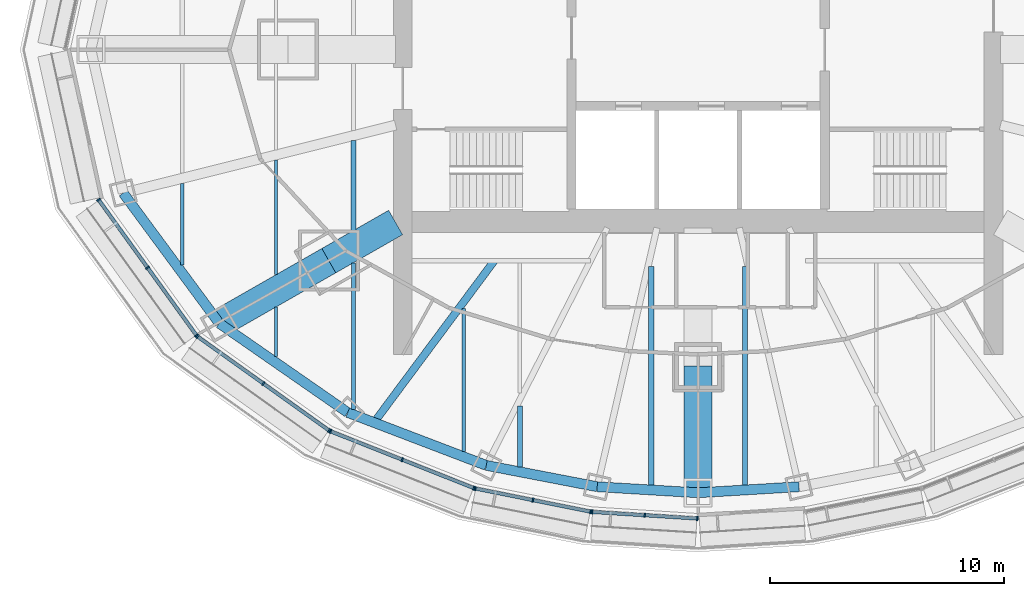
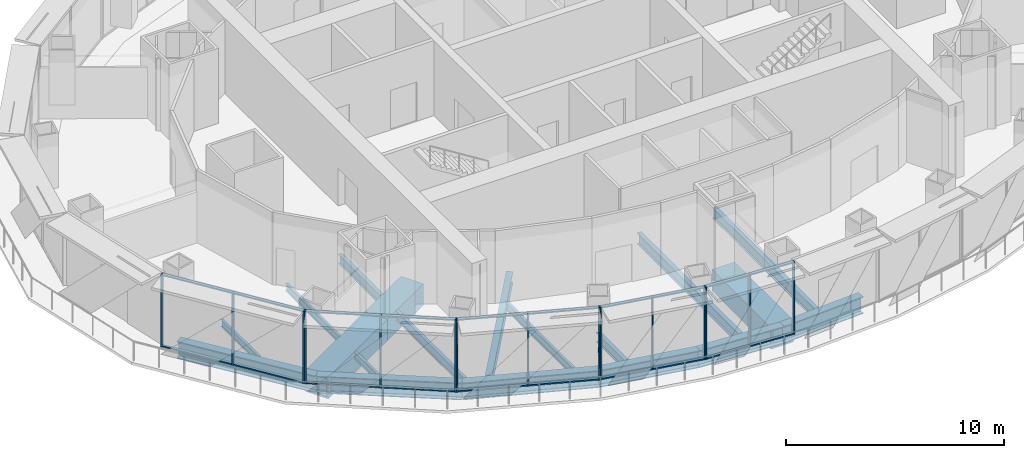
# One storey, part 2 of 17: 35 members, 19 beams, 5 elements without a shape of their own.
"""IFC4 building model written with IfcOpenShell, lengths in metres."""

from ifc_helpers import new_model, si_unit, direction, frame, origin, origin_2d, place, context, subcontext, project, spatial, rectangle, hollow_rectangle, i_section, extrude, material, material_profile, profile_set, type_object, element, aggregate, save


model = new_model("IFC4")

# Units and contexts
model_context = context("Model", 3, precision=1e-05, world=origin(), true_north=direction((0.0, 1.0)))
body_context = subcontext(model_context, "Body", "Model", "MODEL_VIEW")
ifc_project = project(units=[si_unit("LENGTHUNIT", "METRE"), si_unit("AREAUNIT", "SQUARE_METRE"), si_unit("VOLUMEUNIT", "CUBIC_METRE"), si_unit("PLANEANGLEUNIT", "RADIAN"), si_unit("MASSUNIT", "GRAM", prefix="KILO")], contexts=[model_context])

# Site, building, storey
site_placement = place(None, origin())
site = spatial("IfcSite", under=ifc_project, at=site_placement, CompositionType="ELEMENT")
building_placement = place(site_placement, origin())
building = spatial("IfcBuilding", under=site, at=building_placement, Name="Lantaw Convention Tower", CompositionType="ELEMENT")
storey_placement = place(building_placement, frame((0.0, 0.0, 199.0)))
storey = spatial("IfcBuildingStorey", under=building, at=storey_placement, Name="L46", CompositionType="ELEMENT", Elevation=199.0)

# Beams
ifc_material_1 = material(Name="Steel ASTM A992", Category="steel")
ifc_material_profile_1 = material_profile(ifc_material_1, i_section(OverallWidth=0.424072265625, OverallDepth=0.947509765625, WebThickness=0.02392578125, FlangeThickness=0.042724609375, FilletRadius=0.012451171875, at=origin_2d()), Name="W36X302")
ifc_profile_set_1 = profile_set([ifc_material_profile_1], Name="Steel ASTM A992")
beam_type_1 = type_object("IfcBeamType", Name="Beam BC W36X302", PredefinedType="SPANDREL", material=ifc_profile_set_1)
beam_1_placement = place(storey_placement, frame((-24.52197265625, -6.114013671875, -0.623779296875), z_axis=(0.593639188853, -0.804731329984, 0.0), x_axis=(0.804731329984, 0.593639188853, 0.0)))
element("IfcBeam", 1, at=beam_1_placement, inside=storey, type_object=beam_type_1, Name="Belt truss chord 14", PredefinedType="SPANDREL", context=body_context, shape_type="SweptSolid", body=[
    extrude(i_section(OverallWidth=0.424072265625, OverallDepth=0.947509765625, WebThickness=0.02392578125, FlangeThickness=0.042724609375, FilletRadius=0.012451171875, at=origin_2d()), origin(), (0.0, 0.0, 1.0), 6.904541015625),
])
beam_2_placement = place(storey_placement, frame((-20.423095703125, -11.67041015625, -0.623779296875), z_axis=(0.82135329406, -0.570419815869, 0.0), x_axis=(0.570419815869, 0.82135329406, 0.0)))
element("IfcBeam", 2, at=beam_2_placement, inside=storey, type_object=beam_type_1, Name="Belt truss chord 15", PredefinedType="SPANDREL", context=body_context, shape_type="SweptSolid", body=[
    extrude(i_section(OverallWidth=0.424072265625, OverallDepth=0.947509765625, WebThickness=0.02392578125, FlangeThickness=0.042724609375, FilletRadius=0.012451171875, at=origin_2d()), origin(), (0.0, 0.0, 1.0), 6.67041015625),
])
beam_3_placement = place(storey_placement, frame((-14.9443359375, -15.475341796875, -0.623779296875), z_axis=(0.934234988, -0.356658081637, 0.0), x_axis=(0.356658081637, 0.934234988, 0.0)))
element("IfcBeam", 3, at=beam_3_placement, inside=storey, type_object=beam_type_1, Name="Belt truss chord 16", PredefinedType="SPANDREL", context=body_context, shape_type="SweptSolid", body=[
    extrude(i_section(OverallWidth=0.424072265625, OverallDepth=0.947509765625, WebThickness=0.02392578125, FlangeThickness=0.042724609375, FilletRadius=0.012451171875, at=origin_2d()), origin(), (0.0, 0.0, 1.0), 6.32568359375),
])
beam_4_placement = place(storey_placement, frame((-9.03466796875, -17.7314453125, -0.623779296875), z_axis=(0.981972091702, -0.189025953556, 0.0), x_axis=(0.189025953556, 0.981972091702, 0.0)))
element("IfcBeam", 4, at=beam_4_placement, inside=storey, type_object=beam_type_1, Name="Belt truss chord 17", PredefinedType="SPANDREL", context=body_context, shape_type="SweptSolid", body=[
    extrude(i_section(OverallWidth=0.424072265625, OverallDepth=0.947509765625, WebThickness=0.02392578125, FlangeThickness=0.042724609375, FilletRadius=0.012451171875, at=origin_2d()), origin(), (0.0, 0.0, 1.0), 4.817626953125),
])
for number, where, z_axis, x_axis, name in (
    (5, (-4.303955078125, -18.64208984375, -0.623779296875), (0.998210730897, -0.059794119452, 0.0), (0.059794119452, 0.998210730897, 0.0), "Belt truss chord 18"),
    (6, (0.0, -18.89990234375, -0.623779296875), (0.998210730897, 0.059794119452, 0.0), (-0.059794119452, 0.998210730897, 0.0), "Belt truss chord 19"),
):
    element("IfcBeam", number, at=place(storey_placement, frame(where, z_axis=z_axis, x_axis=x_axis)), inside=storey, type_object=beam_type_1, Name=name, PredefinedType="SPANDREL", context=body_context, shape_type="SweptSolid", body=[
        extrude(i_section(OverallWidth=0.424072265625, OverallDepth=0.947509765625, WebThickness=0.02392578125, FlangeThickness=0.042724609375, FilletRadius=0.012451171875, at=origin_2d()), origin(), (0.0, 0.0, 1.0), 4.311767578125),
    ])
ifc_material_2 = material(Name="Steel EN 10025-3 S460N", Category="steel")
ifc_material_profile_2 = material_profile(ifc_material_2, hollow_rectangle(XDim=1.199951171875, YDim=1.199951171875, WallThickness=0.10009765625, at=origin_2d()), Name="BOX1200X100")
ifc_profile_set_2 = profile_set([ifc_material_profile_2], Name="Steel EN 10025-3 S460N")
beam_type_2 = type_object("IfcBeamType", Name="Beam G BOX1200X100", PredefinedType="BEAM", material=ifc_profile_set_2)
beam_5_placement = place(storey_placement, frame((-15.75, -9.0, -0.75), z_axis=(-0.868237559289, -0.496148708192, 0.0), x_axis=(0.496148708192, -0.868237559289, 0.0)))
element("IfcBeam", 7, at=beam_5_placement, inside=storey, type_object=beam_type_2, Name="Floor girder on ray 15", PredefinedType="BEAM", context=body_context, shape_type="SweptSolid", body=[
    extrude(hollow_rectangle(XDim=1.199951171875, YDim=1.199951171875, WallThickness=0.10009765625, at=origin_2d()), origin(), (0.0, 0.0, 1.0), 5.38232421875),
])
beam_6_placement = place(storey_placement, frame((0.0, -13.5, -0.75), z_axis=(0.0, -1.0, 0.0), x_axis=(1.0, 0.0, 0.0)))
element("IfcBeam", 8, at=beam_6_placement, inside=storey, type_object=beam_type_2, Name="Floor girder on ray 19", PredefinedType="BEAM", context=body_context, shape_type="SweptSolid", body=[
    extrude(hollow_rectangle(XDim=1.199951171875, YDim=1.199951171875, WallThickness=0.10009765625, at=origin_2d()), origin(), (0.0, 0.0, 1.0), 5.39990234375),
])
ifc_material_profile_3 = material_profile(ifc_material_1, i_section(OverallWidth=0.3251953125, OverallDepth=0.612060546875, WebThickness=0.0126953125, FlangeThickness=0.01904296875, FilletRadius=0.0126953125, at=origin_2d()), Name="W24X104")
ifc_profile_set_3 = profile_set([ifc_material_profile_3], Name="Steel ASTM A992")
beam_type_3 = type_object("IfcBeamType", Name="Beam G W24X104", PredefinedType="BEAM", material=ifc_profile_set_3)
beam_7_placement = place(storey_placement, frame((-8.691162109375, -9.0, -0.4560546875), z_axis=(-0.596616067071, -0.802526802364, 0.0), x_axis=(0.802526802364, -0.596616067071, 0.0)))
element("IfcBeam", 9, at=beam_7_placement, inside=storey, type_object=beam_type_3, Name="Floor girder on ray 16", PredefinedType="BEAM", context=body_context, shape_type="SweptSolid", body=[
    extrude(i_section(OverallWidth=0.3251953125, OverallDepth=0.612060546875, WebThickness=0.0126953125, FlangeThickness=0.01904296875, FilletRadius=0.0126953125, at=origin_2d()), origin(), (0.0, 0.0, 1.0), 8.60205078125),
])
ifc_material_profile_4 = material_profile(ifc_material_1, i_section(OverallWidth=0.140380859375, OverallDepth=0.40380859375, WebThickness=0.007080078125, FlangeThickness=0.01123046875, FilletRadius=0.01025390625, at=origin_2d()), Name="W16X31")
ifc_profile_set_4 = profile_set([ifc_material_profile_4], Name="Steel ASTM A992")
beam_type_4 = type_object("IfcBeamType", Name="Beam J W16X31", PredefinedType="JOIST", material=ifc_profile_set_4)
beam_8_placement = place(storey_placement, frame((-22.0, -9.175537109375, -0.35205078125), z_axis=(0.0, 1.0, 0.0), x_axis=(-1.0, 0.0, 0.0)))
element("IfcBeam", 10, at=beam_8_placement, inside=storey, type_object=beam_type_4, Name="Floor joist", PredefinedType="JOIST", context=body_context, shape_type="SweptSolid", body=[
    extrude(i_section(OverallWidth=0.140380859375, OverallDepth=0.40380859375, WebThickness=0.007080078125, FlangeThickness=0.01123046875, FilletRadius=0.01025390625, at=origin_2d()), origin(), (0.0, 0.0, 1.0), 3.47314453125),
])
beam_9_placement = place(storey_placement, frame((-18.0, -13.094970703125, -0.35205078125), z_axis=(0.0, 1.0, 0.0), x_axis=(-1.0, 0.0, 0.0)))
element("IfcBeam", 11, at=beam_9_placement, inside=storey, type_object=beam_type_4, Name="Floor joist", PredefinedType="JOIST", context=body_context, shape_type="SweptSolid", body=[
    extrude(i_section(OverallWidth=0.140380859375, OverallDepth=0.40380859375, WebThickness=0.007080078125, FlangeThickness=0.01123046875, FilletRadius=0.01025390625, at=origin_2d()), origin(), (0.0, 0.0, 1.0), 2.1181640625),
])
beam_10_placement = place(storey_placement, frame((-18.0, -9.5947265625, -0.35205078125), z_axis=(0.0, 1.0, 0.0), x_axis=(-1.0, 0.0, 0.0)))
element("IfcBeam", 12, at=beam_10_placement, inside=storey, type_object=beam_type_4, Name="Floor joist", PredefinedType="JOIST", context=body_context, shape_type="SweptSolid", body=[
    extrude(i_section(OverallWidth=0.140380859375, OverallDepth=0.40380859375, WebThickness=0.007080078125, FlangeThickness=0.01123046875, FilletRadius=0.01025390625, at=origin_2d()), origin(), (0.0, 0.0, 1.0), 4.8896484375),
])
ifc_material_profile_5 = material_profile(ifc_material_1, i_section(OverallWidth=0.15234375, OverallDepth=0.449462890625, WebThickness=0.007568359375, FlangeThickness=0.0107421875, FilletRadius=0.01025390625, at=origin_2d()), Name="W18X35")
ifc_profile_set_5 = profile_set([ifc_material_profile_5], Name="Steel ASTM A992")
beam_type_5 = type_object("IfcBeamType", Name="Beam J W18X35", PredefinedType="JOIST", material=ifc_profile_set_5)
beam_11_placement = place(storey_placement, frame((-10.0, -17.135986328125, -0.374755859375), z_axis=(0.0, 1.0, 0.0), x_axis=(-1.0, 0.0, 0.0)))
element("IfcBeam", 13, at=beam_11_placement, inside=storey, type_object=beam_type_5, Name="Floor joist", PredefinedType="JOIST", context=body_context, shape_type="SweptSolid", body=[
    extrude(i_section(OverallWidth=0.15234375, OverallDepth=0.449462890625, WebThickness=0.007568359375, FlangeThickness=0.0107421875, FilletRadius=0.01025390625, at=origin_2d()), origin(), (0.0, 0.0, 1.0), 6.10302734375),
])
ifc_material_profile_6 = material_profile(ifc_material_1, i_section(OverallWidth=0.1650390625, OverallDepth=0.52587890625, WebThickness=0.0087890625, FlangeThickness=0.011474609375, FilletRadius=0.0126953125, at=origin_2d()), Name="W21X44")
ifc_profile_set_6 = profile_set([ifc_material_profile_6], Name="Steel ASTM A992")
beam_type_6 = type_object("IfcBeamType", Name="Beam J W21X44", PredefinedType="JOIST", material=ifc_profile_set_6)
beam_12_placement = place(storey_placement, frame((-14.699951171875, -15.341796875, -0.412841796875), z_axis=(0.0, 1.0, 0.0), x_axis=(-1.0, 0.0, 0.0)))
element("IfcBeam", 14, at=beam_12_placement, inside=storey, type_object=beam_type_6, Name="Floor joist", PredefinedType="JOIST", context=body_context, shape_type="SweptSolid", body=[
    extrude(i_section(OverallWidth=0.1650390625, OverallDepth=0.52587890625, WebThickness=0.0087890625, FlangeThickness=0.011474609375, FilletRadius=0.0126953125, at=origin_2d()), origin(), (0.0, 0.0, 1.0), 6.250732421875),
])
ifc_material_profile_7 = material_profile(ifc_material_1, i_section(OverallWidth=0.2099609375, OverallDepth=0.535888671875, WebThickness=0.010986328125, FlangeThickness=0.017333984375, FilletRadius=0.012939453125, at=origin_2d()), Name="W21X68")
ifc_profile_set_7 = profile_set([ifc_material_profile_7], Name="Steel ASTM A992")
beam_type_7 = type_object("IfcBeamType", Name="Beam J W21X68", PredefinedType="JOIST", material=ifc_profile_set_7)
beam_13_placement = place(storey_placement, frame((-14.699951171875, -7.708984375, -0.41796875), z_axis=(0.0, 1.0, 0.0), x_axis=(-1.0, 0.0, 0.0)))
element("IfcBeam", 15, at=beam_13_placement, inside=storey, type_object=beam_type_7, Name="Floor joist", PredefinedType="JOIST", context=body_context, shape_type="SweptSolid", body=[
    extrude(i_section(OverallWidth=0.2099609375, OverallDepth=0.535888671875, WebThickness=0.010986328125, FlangeThickness=0.017333984375, FilletRadius=0.012939453125, at=origin_2d()), origin(), (0.0, 0.0, 1.0), 3.82666015625),
])
beam_14_placement = place(storey_placement, frame((-7.60009765625, -17.791748046875, -0.41796875), z_axis=(0.0, 1.0, 0.0), x_axis=(-1.0, 0.0, 0.0)))
element("IfcBeam", 16, at=beam_14_placement, inside=storey, type_object=beam_type_7, Name="Floor joist", PredefinedType="JOIST", context=body_context, shape_type="SweptSolid", body=[
    extrude(i_section(OverallWidth=0.2099609375, OverallDepth=0.535888671875, WebThickness=0.010986328125, FlangeThickness=0.017333984375, FilletRadius=0.012939453125, at=origin_2d()), origin(), (0.0, 0.0, 1.0), 2.59619140625),
])
ifc_material_profile_8 = material_profile(ifc_material_1, i_section(OverallWidth=0.22900390625, OverallDepth=0.612060546875, WebThickness=0.011962890625, FlangeThickness=0.01953125, FilletRadius=0.0126953125, at=origin_2d()), Name="W24X84")
ifc_profile_set_8 = profile_set([ifc_material_profile_8], Name="Steel ASTM A992")
beam_type_8 = type_object("IfcBeamType", Name="Beam J W24X84", PredefinedType="JOIST", material=ifc_profile_set_8)
for number, where, z_axis, x_axis, name in (
    (17, (-2.0, -18.567626953125, -0.4560546875), (0.0, 1.0, 0.0), (-1.0, 0.0, 0.0), "Floor joist"),
    (18, (2.0, -18.567626953125, -0.4560546875), (0.0, 1.0, 0.0), (-1.0, 0.0, 0.0), "Floor joist"),
):
    element("IfcBeam", number, at=place(storey_placement, frame(where, z_axis=z_axis, x_axis=x_axis)), inside=storey, type_object=beam_type_8, Name=name, PredefinedType="JOIST", context=body_context, shape_type="SweptSolid", body=[
        extrude(i_section(OverallWidth=0.22900390625, OverallDepth=0.612060546875, WebThickness=0.011962890625, FlangeThickness=0.01953125, FilletRadius=0.0126953125, at=origin_2d()), origin(), (0.0, 0.0, 1.0), 9.311767578125),
    ])
ifc_material_profile_9 = material_profile(ifc_material_2, hollow_rectangle(XDim=1.199951171875, YDim=1.199951171875, WallThickness=0.10009765625, at=origin_2d()), Name="BOX1200X100")
ifc_profile_set_9 = profile_set([ifc_material_profile_9], Name="Steel EN 10025-3 S460N")
beam_type_9 = type_object("IfcBeamType", Name="Beam OC BOX1200X100", PredefinedType="BEAM", material=ifc_profile_set_9)
beam_15_placement = place(storey_placement, frame((-12.89990234375, -7.371337890625, -0.75), z_axis=(-0.868238565244, -0.496146947811, 0.0), x_axis=(0.496146947811, -0.868238565244, 0.0)))
element("IfcBeam", 19, at=beam_15_placement, inside=storey, type_object=beam_type_9, Name="Outrigger chord on ray 15", PredefinedType="BEAM", context=body_context, shape_type="SweptSolid", body=[
    extrude(hollow_rectangle(XDim=1.199951171875, YDim=1.199951171875, WallThickness=0.10009765625, at=origin_2d()), origin(), (0.0, 0.0, 1.0), 3.28271484375),
])

# Curtain wall, members
ifc_material_3 = material(Name="Aluminium framed curtain wall", Category="aluminium")
curtain_wall_type = type_object("IfcCurtainWallType", Name="Office curtain wall high rise, pale aluminium", PredefinedType="USERDEFINED", material=ifc_material_3)
curtain_wall_1_placement = place(storey_placement, origin())
curtain_wall_1 = element("IfcCurtainWall", 20, at=curtain_wall_1_placement, inside=storey, type_object=curtain_wall_type, Name="Office curtain wall high rise, pale aluminium L46", ObjectType="UNITISED CURTAIN WALL", PredefinedType="USERDEFINED")
ifc_material_4 = material(Name="Aluminium 6063-T6", Category="aluminium")
ifc_material_profile_10 = material_profile(ifc_material_4, rectangle(XDim=0.179931640625, YDim=0.06494140625, at=origin_2d()), Name="CW-O2 mullion 65x180")
ifc_profile_set_10 = profile_set([ifc_material_profile_10], Name="Aluminium 6063-T6")
member_type_1 = type_object("IfcMemberType", Name="CW-O2 mullion 65x180", PredefinedType="MULLION", material=ifc_profile_set_10)
member_1_placement = place(storey_placement, frame((-25.5703125, -6.406494140625, 0.0), z_axis=(0.0, 0.0, 1.0), x_axis=(0.810919559405, 0.585157643865, 0.0)))
member_1 = element("IfcMember", 21, at=member_1_placement, type_object=member_type_1, Name="CW-O2 mullion 1", PredefinedType="MULLION", context=body_context, shape_type="SweptSolid", body=[
    extrude(rectangle(XDim=0.179931640625, YDim=0.06494140625, at=origin_2d()), origin(), (0.0, 0.0, 1.0), 4.050048828125),
])
member_2_placement = place(storey_placement, frame((-23.483642578125, -9.298095703125, 0.0), z_axis=(0.0, 0.0, 1.0), x_axis=(0.810919559405, 0.585157643865, 0.0)))
member_2 = element("IfcMember", 22, at=member_2_placement, type_object=member_type_1, Name="CW-O2 mullion 2", PredefinedType="MULLION", context=body_context, shape_type="SweptSolid", body=[
    extrude(rectangle(XDim=0.179931640625, YDim=0.06494140625, at=origin_2d()), origin(), (0.0, 0.0, 1.0), 4.050048828125),
])
member_3_placement = place(storey_placement, frame((-21.397216796875, -12.189697265625, 0.0), z_axis=(0.0, 0.0, 1.0), x_axis=(0.810919559405, 0.585157643865, 0.0)))
member_3 = element("IfcMember", 23, at=member_3_placement, type_object=member_type_1, Name="CW-O2 mullion 3", PredefinedType="MULLION", context=body_context, shape_type="SweptSolid", body=[
    extrude(rectangle(XDim=0.179931640625, YDim=0.06494140625, at=origin_2d()), origin(), (0.0, 0.0, 1.0), 4.050048828125),
])

curtain_wall_2_placement = place(storey_placement, origin())
curtain_wall_2 = element("IfcCurtainWall", 24, at=curtain_wall_2_placement, inside=storey, type_object=curtain_wall_type, Name="Office curtain wall high rise, pale aluminium L46", ObjectType="UNITISED CURTAIN WALL", PredefinedType="USERDEFINED")
member_4_placement = place(storey_placement, frame((-21.3515625, -12.23486328125, 0.0), z_axis=(0.0, 0.0, 1.0), x_axis=(0.581323487281, 0.813672540482, 0.0)))
member_4 = element("IfcMember", 25, at=member_4_placement, type_object=member_type_1, Name="CW-O2 mullion 1", PredefinedType="MULLION", context=body_context, shape_type="SweptSolid", body=[
    extrude(rectangle(XDim=0.179931640625, YDim=0.06494140625, at=origin_2d()), origin(), (0.0, 0.0, 1.0), 4.050048828125),
])
member_5_placement = place(storey_placement, frame((-18.543212890625, -14.241455078125, 0.0), z_axis=(0.0, 0.0, 1.0), x_axis=(0.581323487281, 0.813672540482, 0.0)))
member_5 = element("IfcMember", 26, at=member_5_placement, type_object=member_type_1, Name="CW-O2 mullion 2", PredefinedType="MULLION", context=body_context, shape_type="SweptSolid", body=[
    extrude(rectangle(XDim=0.179931640625, YDim=0.06494140625, at=origin_2d()), origin(), (0.0, 0.0, 1.0), 4.050048828125),
])
member_6_placement = place(storey_placement, frame((-15.73486328125, -16.247802734375, 0.0), z_axis=(0.0, 0.0, 1.0), x_axis=(0.581323487281, 0.813672540482, 0.0)))
member_6 = element("IfcMember", 27, at=member_6_placement, type_object=member_type_1, Name="CW-O2 mullion 3", PredefinedType="MULLION", context=body_context, shape_type="SweptSolid", body=[
    extrude(rectangle(XDim=0.179931640625, YDim=0.06494140625, at=origin_2d()), origin(), (0.0, 0.0, 1.0), 4.050048828125),
])

curtain_wall_3_placement = place(storey_placement, origin())
curtain_wall_3 = element("IfcCurtainWall", 28, at=curtain_wall_3_placement, inside=storey, type_object=curtain_wall_type, Name="Office curtain wall high rise, pale aluminium L46", ObjectType="UNITISED CURTAIN WALL", PredefinedType="USERDEFINED")
member_7_placement = place(storey_placement, frame((-15.67822265625, -16.278564453125, 0.0), z_axis=(0.0, 0.0, 1.0), x_axis=(0.368162315252, 0.929761533743, 0.0)))
member_7 = element("IfcMember", 29, at=member_7_placement, type_object=member_type_1, Name="CW-O2 mullion 1", PredefinedType="MULLION", context=body_context, shape_type="SweptSolid", body=[
    extrude(rectangle(XDim=0.179931640625, YDim=0.06494140625, at=origin_2d()), origin(), (0.0, 0.0, 1.0), 4.050048828125),
])
member_8_placement = place(storey_placement, frame((-12.621337890625, -17.4892578125, 0.0), z_axis=(0.0, 0.0, 1.0), x_axis=(0.368162315252, 0.929761533743, 0.0)))
member_8 = element("IfcMember", 30, at=member_8_placement, type_object=member_type_1, Name="CW-O2 mullion 2", PredefinedType="MULLION", context=body_context, shape_type="SweptSolid", body=[
    extrude(rectangle(XDim=0.179931640625, YDim=0.06494140625, at=origin_2d()), origin(), (0.0, 0.0, 1.0), 4.050048828125),
])
member_9_placement = place(storey_placement, frame((-9.564208984375, -18.69970703125, 0.0), z_axis=(0.0, 0.0, 1.0), x_axis=(0.368162315252, 0.929761533743, 0.0)))
member_9 = element("IfcMember", 31, at=member_9_placement, type_object=member_type_1, Name="CW-O2 mullion 3", PredefinedType="MULLION", context=body_context, shape_type="SweptSolid", body=[
    extrude(rectangle(XDim=0.179931640625, YDim=0.06494140625, at=origin_2d()), origin(), (0.0, 0.0, 1.0), 4.050048828125),
])

curtain_wall_4_placement = place(storey_placement, origin())
curtain_wall_4 = element("IfcCurtainWall", 32, at=curtain_wall_4_placement, inside=storey, type_object=curtain_wall_type, Name="Office curtain wall high rise, pale aluminium L46", ObjectType="UNITISED CURTAIN WALL", PredefinedType="USERDEFINED")
member_10_placement = place(storey_placement, frame((-9.502197265625, -18.718017578125, 0.0), z_axis=(0.0, 0.0, 1.0), x_axis=(0.197183095987, 0.980366679695, 0.0)))
member_10 = element("IfcMember", 33, at=member_10_placement, type_object=member_type_1, Name="CW-O2 mullion 1", PredefinedType="MULLION", context=body_context, shape_type="SweptSolid", body=[
    extrude(rectangle(XDim=0.179931640625, YDim=0.06494140625, at=origin_2d()), origin(), (0.0, 0.0, 1.0), 4.050048828125),
])
member_11_placement = place(storey_placement, frame((-7.042724609375, -19.212646484375, 0.0), z_axis=(0.0, 0.0, 1.0), x_axis=(0.197183095987, 0.980366679695, 0.0)))
member_11 = element("IfcMember", 34, at=member_11_placement, type_object=member_type_1, Name="CW-O2 mullion 2", PredefinedType="MULLION", context=body_context, shape_type="SweptSolid", body=[
    extrude(rectangle(XDim=0.179931640625, YDim=0.06494140625, at=origin_2d()), origin(), (0.0, 0.0, 1.0), 4.050048828125),
])
member_12_placement = place(storey_placement, frame((-4.583251953125, -19.70751953125, 0.0), z_axis=(0.0, 0.0, 1.0), x_axis=(0.197183095987, 0.980366679695, 0.0)))
member_12 = element("IfcMember", 35, at=member_12_placement, type_object=member_type_1, Name="CW-O2 mullion 3", PredefinedType="MULLION", context=body_context, shape_type="SweptSolid", body=[
    extrude(rectangle(XDim=0.179931640625, YDim=0.06494140625, at=origin_2d()), origin(), (0.0, 0.0, 1.0), 4.050048828125),
])

curtain_wall_5_placement = place(storey_placement, origin())
curtain_wall_5 = element("IfcCurtainWall", 36, at=curtain_wall_5_placement, inside=storey, type_object=curtain_wall_type, Name="Office curtain wall high rise, pale aluminium L46", ObjectType="UNITISED CURTAIN WALL", PredefinedType="USERDEFINED")
member_13_placement = place(storey_placement, frame((-4.518798828125, -19.7158203125, 0.0), z_axis=(0.0, 0.0, 1.0), x_axis=(0.062757983884, 0.998028774865, 0.0)))
member_13 = element("IfcMember", 37, at=member_13_placement, type_object=member_type_1, Name="CW-O2 mullion 1", PredefinedType="MULLION", context=body_context, shape_type="SweptSolid", body=[
    extrude(rectangle(XDim=0.179931640625, YDim=0.06494140625, at=origin_2d()), origin(), (0.0, 0.0, 1.0), 4.050048828125),
])
member_14_placement = place(storey_placement, frame((-2.275634765625, -19.85693359375, 0.0), z_axis=(0.0, 0.0, 1.0), x_axis=(0.062757983884, 0.998028774865, 0.0)))
member_14 = element("IfcMember", 38, at=member_14_placement, type_object=member_type_1, Name="CW-O2 mullion 2", PredefinedType="MULLION", context=body_context, shape_type="SweptSolid", body=[
    extrude(rectangle(XDim=0.179931640625, YDim=0.06494140625, at=origin_2d()), origin(), (0.0, 0.0, 1.0), 4.050048828125),
])
member_15_placement = place(storey_placement, frame((-0.032470703125, -19.998046875, 0.0), z_axis=(0.0, 0.0, 1.0), x_axis=(0.062757983884, 0.998028774865, 0.0)))
member_15 = element("IfcMember", 39, at=member_15_placement, type_object=member_type_1, Name="CW-O2 mullion 3", PredefinedType="MULLION", context=body_context, shape_type="SweptSolid", body=[
    extrude(rectangle(XDim=0.179931640625, YDim=0.06494140625, at=origin_2d()), origin(), (0.0, 0.0, 1.0), 4.050048828125),
])

# Member
ifc_material_profile_11 = material_profile(ifc_material_4, rectangle(XDim=0.14990234375, YDim=0.06494140625, at=origin_2d()), Name="CW-O2 transom 65x150")
ifc_profile_set_11 = profile_set([ifc_material_profile_11], Name="Aluminium 6063-T6")
member_type_2 = type_object("IfcMemberType", Name="CW-O2 transom 65x150", PredefinedType="USERDEFINED", material=ifc_profile_set_11)
member_16_placement = place(storey_placement, frame((-25.55126953125, -6.432861328125, 0.032470703125), z_axis=(0.585169685931, -0.810910869743, 0.0), x_axis=(0.810910869743, 0.585169685931, 0.0)))
member_16 = element("IfcMember", 40, at=member_16_placement, type_object=member_type_2, Name="CW-O2 transom 1.1", ObjectType="TRANSOM", PredefinedType="USERDEFINED", context=body_context, shape_type="SweptSolid", body=[
    extrude(rectangle(XDim=0.14990234375, YDim=0.06494140625, at=origin_2d()), origin(), (0.0, 0.0, 1.0), 3.500732421875),
])

member_17_placement = place(storey_placement, frame((-25.55126953125, -6.432861328125, 4.017578125), z_axis=(0.585169685931, -0.810910869743, 0.0), x_axis=(0.810910869743, 0.585169685931, 0.0)))
member_17 = element("IfcMember", 41, at=member_17_placement, type_object=member_type_2, Name="CW-O2 transom 1.2", ObjectType="TRANSOM", PredefinedType="USERDEFINED", context=body_context, shape_type="SweptSolid", body=[
    extrude(rectangle(XDim=0.14990234375, YDim=0.06494140625, at=origin_2d()), origin(), (0.0, 0.0, 1.0), 3.500732421875),
])

member_18_placement = place(storey_placement, frame((-23.464599609375, -9.324462890625, 0.032470703125), z_axis=(0.585123825205, -0.810943961798, 0.0), x_axis=(0.810943961798, 0.585123825205, 0.0)))
member_18 = element("IfcMember", 42, at=member_18_placement, type_object=member_type_2, Name="CW-O2 transom 2.1", ObjectType="TRANSOM", PredefinedType="USERDEFINED", context=body_context, shape_type="SweptSolid", body=[
    extrude(rectangle(XDim=0.14990234375, YDim=0.06494140625, at=origin_2d()), origin(), (0.0, 0.0, 1.0), 3.500732421875),
])

member_19_placement = place(storey_placement, frame((-23.464599609375, -9.324462890625, 4.017578125), z_axis=(0.585123825205, -0.810943961798, 0.0), x_axis=(0.810943961798, 0.585123825205, 0.0)))
member_19 = element("IfcMember", 43, at=member_19_placement, type_object=member_type_2, Name="CW-O2 transom 2.2", ObjectType="TRANSOM", PredefinedType="USERDEFINED", context=body_context, shape_type="SweptSolid", body=[
    extrude(rectangle(XDim=0.14990234375, YDim=0.06494140625, at=origin_2d()), origin(), (0.0, 0.0, 1.0), 3.500732421875),
])

aggregate(curtain_wall_1, [member_1, member_2, member_3, member_16, member_17, member_18, member_19])

member_20_placement = place(storey_placement, frame((-21.3251953125, -12.25390625, 0.032470703125), z_axis=(0.813679882592, -0.581313210468, 0.0), x_axis=(0.581313210468, 0.813679882592, 0.0)))
member_20 = element("IfcMember", 44, at=member_20_placement, type_object=member_type_2, Name="CW-O2 transom 1.1", ObjectType="TRANSOM", PredefinedType="USERDEFINED", context=body_context, shape_type="SweptSolid", body=[
    extrude(rectangle(XDim=0.14990234375, YDim=0.06494140625, at=origin_2d()), origin(), (0.0, 0.0, 1.0), 3.38623046875),
])

member_21_placement = place(storey_placement, frame((-21.3251953125, -12.25390625, 4.017578125), z_axis=(0.813679882592, -0.581313210468, 0.0), x_axis=(0.581313210468, 0.813679882592, 0.0)))
member_21 = element("IfcMember", 45, at=member_21_placement, type_object=member_type_2, Name="CW-O2 transom 1.2", ObjectType="TRANSOM", PredefinedType="USERDEFINED", context=body_context, shape_type="SweptSolid", body=[
    extrude(rectangle(XDim=0.14990234375, YDim=0.06494140625, at=origin_2d()), origin(), (0.0, 0.0, 1.0), 3.38623046875),
])

member_22_placement = place(storey_placement, frame((-18.516845703125, -14.26025390625, 0.032470703125), z_axis=(0.813645780821, -0.581360940683, 0.0), x_axis=(0.581360940683, 0.813645780821, 0.0)))
member_22 = element("IfcMember", 46, at=member_22_placement, type_object=member_type_2, Name="CW-O2 transom 2.1", ObjectType="TRANSOM", PredefinedType="USERDEFINED", context=body_context, shape_type="SweptSolid", body=[
    extrude(rectangle(XDim=0.14990234375, YDim=0.06494140625, at=origin_2d()), origin(), (0.0, 0.0, 1.0), 3.386474609375),
])

member_23_placement = place(storey_placement, frame((-18.516845703125, -14.26025390625, 4.017578125), z_axis=(0.813645780821, -0.581360940683, 0.0), x_axis=(0.581360940683, 0.813645780821, 0.0)))
member_23 = element("IfcMember", 47, at=member_23_placement, type_object=member_type_2, Name="CW-O2 transom 2.2", ObjectType="TRANSOM", PredefinedType="USERDEFINED", context=body_context, shape_type="SweptSolid", body=[
    extrude(rectangle(XDim=0.14990234375, YDim=0.06494140625, at=origin_2d()), origin(), (0.0, 0.0, 1.0), 3.386474609375),
])

aggregate(curtain_wall_2, [member_4, member_5, member_6, member_20, member_21, member_22, member_23])

member_24_placement = place(storey_placement, frame((-15.648193359375, -16.29052734375, 0.032470703125), z_axis=(0.929740712354, -0.368214893495, 0.0), x_axis=(0.368214893495, 0.929740712354, 0.0)))
member_24 = element("IfcMember", 48, at=member_24_placement, type_object=member_type_2, Name="CW-O2 transom 1.1", ObjectType="TRANSOM", PredefinedType="USERDEFINED", context=body_context, shape_type="SweptSolid", body=[
    extrude(rectangle(XDim=0.14990234375, YDim=0.06494140625, at=origin_2d()), origin(), (0.0, 0.0, 1.0), 3.22314453125),
])

member_25_placement = place(storey_placement, frame((-15.648193359375, -16.29052734375, 4.017578125), z_axis=(0.929740712354, -0.368214893495, 0.0), x_axis=(0.368214893495, 0.929740712354, 0.0)))
member_25 = element("IfcMember", 49, at=member_25_placement, type_object=member_type_2, Name="CW-O2 transom 1.2", ObjectType="TRANSOM", PredefinedType="USERDEFINED", context=body_context, shape_type="SweptSolid", body=[
    extrude(rectangle(XDim=0.14990234375, YDim=0.06494140625, at=origin_2d()), origin(), (0.0, 0.0, 1.0), 3.22314453125),
])

member_26_placement = place(storey_placement, frame((-12.591064453125, -17.501220703125, 0.032470703125), z_axis=(0.929766642946, -0.368149412149, 0.0), x_axis=(0.368149412149, 0.929766642946, 0.0)))
member_26 = element("IfcMember", 50, at=member_26_placement, type_object=member_type_2, Name="CW-O2 transom 2.1", ObjectType="TRANSOM", PredefinedType="USERDEFINED", context=body_context, shape_type="SweptSolid", body=[
    extrude(rectangle(XDim=0.14990234375, YDim=0.06494140625, at=origin_2d()), origin(), (0.0, 0.0, 1.0), 3.222900390625),
])

member_27_placement = place(storey_placement, frame((-12.591064453125, -17.501220703125, 4.017578125), z_axis=(0.929766642946, -0.368149412149, 0.0), x_axis=(0.368149412149, 0.929766642946, 0.0)))
member_27 = element("IfcMember", 51, at=member_27_placement, type_object=member_type_2, Name="CW-O2 transom 2.2", ObjectType="TRANSOM", PredefinedType="USERDEFINED", context=body_context, shape_type="SweptSolid", body=[
    extrude(rectangle(XDim=0.14990234375, YDim=0.06494140625, at=origin_2d()), origin(), (0.0, 0.0, 1.0), 3.222900390625),
])

aggregate(curtain_wall_3, [member_7, member_8, member_9, member_24, member_25, member_26, member_27])

member_28_placement = place(storey_placement, frame((-9.47021484375, -18.724365234375, 0.032470703125), z_axis=(0.98036104319, -0.197211117829, 0.0), x_axis=(0.197211117829, 0.98036104319, 0.0)))
member_28 = element("IfcMember", 52, at=member_28_placement, type_object=member_type_2, Name="CW-O2 transom 1.1", ObjectType="TRANSOM", PredefinedType="USERDEFINED", context=body_context, shape_type="SweptSolid", body=[
    extrude(rectangle(XDim=0.14990234375, YDim=0.06494140625, at=origin_2d()), origin(), (0.0, 0.0, 1.0), 2.44384765625),
])

member_29_placement = place(storey_placement, frame((-9.47021484375, -18.724365234375, 4.017578125), z_axis=(0.98036104319, -0.197211117829, 0.0), x_axis=(0.197211117829, 0.98036104319, 0.0)))
member_29 = element("IfcMember", 53, at=member_29_placement, type_object=member_type_2, Name="CW-O2 transom 1.2", ObjectType="TRANSOM", PredefinedType="USERDEFINED", context=body_context, shape_type="SweptSolid", body=[
    extrude(rectangle(XDim=0.14990234375, YDim=0.06494140625, at=origin_2d()), origin(), (0.0, 0.0, 1.0), 2.44384765625),
])

member_30_placement = place(storey_placement, frame((-7.0107421875, -19.21923828125, 0.032470703125), z_axis=(0.980380354178, -0.197115096178, 0.0), x_axis=(0.197115096178, 0.980380354178, 0.0)))
member_30 = element("IfcMember", 54, at=member_30_placement, type_object=member_type_2, Name="CW-O2 transom 2.1", ObjectType="TRANSOM", PredefinedType="USERDEFINED", context=body_context, shape_type="SweptSolid", body=[
    extrude(rectangle(XDim=0.14990234375, YDim=0.06494140625, at=origin_2d()), origin(), (0.0, 0.0, 1.0), 2.443603515625),
])

member_31_placement = place(storey_placement, frame((-7.0107421875, -19.21923828125, 4.017578125), z_axis=(0.980380354178, -0.197115096178, 0.0), x_axis=(0.197115096178, 0.980380354178, 0.0)))
member_31 = element("IfcMember", 55, at=member_31_placement, type_object=member_type_2, Name="CW-O2 transom 2.2", ObjectType="TRANSOM", PredefinedType="USERDEFINED", context=body_context, shape_type="SweptSolid", body=[
    extrude(rectangle(XDim=0.14990234375, YDim=0.06494140625, at=origin_2d()), origin(), (0.0, 0.0, 1.0), 2.443603515625),
])

aggregate(curtain_wall_4, [member_10, member_11, member_12, member_28, member_29, member_30, member_31])

member_32_placement = place(storey_placement, frame((-4.486328125, -19.7177734375, 0.032470703125), z_axis=(0.998021991509, -0.062865765437, 0.0), x_axis=(0.062865765437, 0.998021991509, 0.0)))
member_32 = element("IfcMember", 56, at=member_32_placement, type_object=member_type_2, Name="CW-O2 transom 1.1", ObjectType="TRANSOM", PredefinedType="USERDEFINED", context=body_context, shape_type="SweptSolid", body=[
    extrude(rectangle(XDim=0.14990234375, YDim=0.06494140625, at=origin_2d()), origin(), (0.0, 0.0, 1.0), 2.1826171875),
])

member_33_placement = place(storey_placement, frame((-4.486328125, -19.7177734375, 4.017578125), z_axis=(0.998021991509, -0.062865765437, 0.0), x_axis=(0.062865765437, 0.998021991509, 0.0)))
member_33 = element("IfcMember", 57, at=member_33_placement, type_object=member_type_2, Name="CW-O2 transom 1.2", ObjectType="TRANSOM", PredefinedType="USERDEFINED", context=body_context, shape_type="SweptSolid", body=[
    extrude(rectangle(XDim=0.14990234375, YDim=0.06494140625, at=origin_2d()), origin(), (0.0, 0.0, 1.0), 2.1826171875),
])

member_34_placement = place(storey_placement, frame((-2.2431640625, -19.85888671875, 0.032470703125), z_axis=(0.998029003644, -0.062754345555, 0.0), x_axis=(0.062754345555, 0.998029003644, 0.0)))
member_34 = element("IfcMember", 58, at=member_34_placement, type_object=member_type_2, Name="CW-O2 transom 2.1", ObjectType="TRANSOM", PredefinedType="USERDEFINED", context=body_context, shape_type="SweptSolid", body=[
    extrude(rectangle(XDim=0.14990234375, YDim=0.06494140625, at=origin_2d()), origin(), (0.0, 0.0, 1.0), 2.1826171875),
])

member_35_placement = place(storey_placement, frame((-2.2431640625, -19.85888671875, 4.017578125), z_axis=(0.998029003644, -0.062754345555, 0.0), x_axis=(0.062754345555, 0.998029003644, 0.0)))
member_35 = element("IfcMember", 59, at=member_35_placement, type_object=member_type_2, Name="CW-O2 transom 2.2", ObjectType="TRANSOM", PredefinedType="USERDEFINED", context=body_context, shape_type="SweptSolid", body=[
    extrude(rectangle(XDim=0.14990234375, YDim=0.06494140625, at=origin_2d()), origin(), (0.0, 0.0, 1.0), 2.1826171875),
])

aggregate(curtain_wall_5, [member_13, member_14, member_15, member_32, member_33, member_34, member_35])

save(model, "model.ifc")
